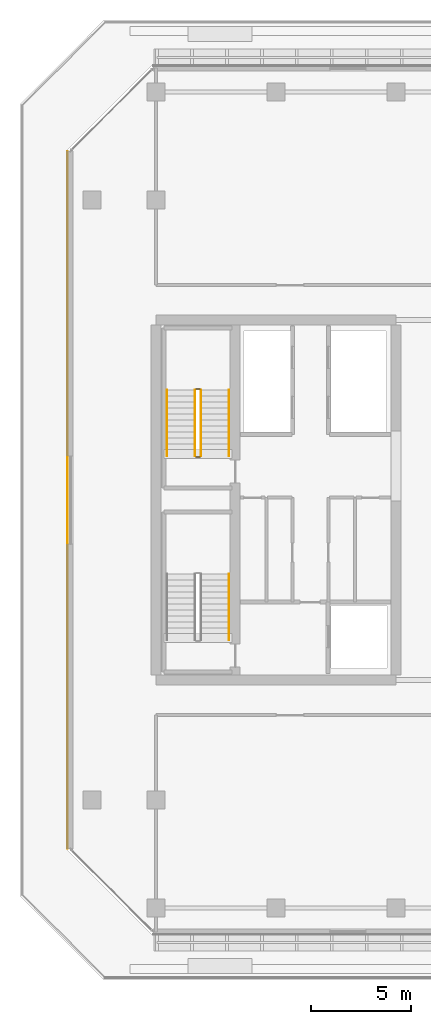
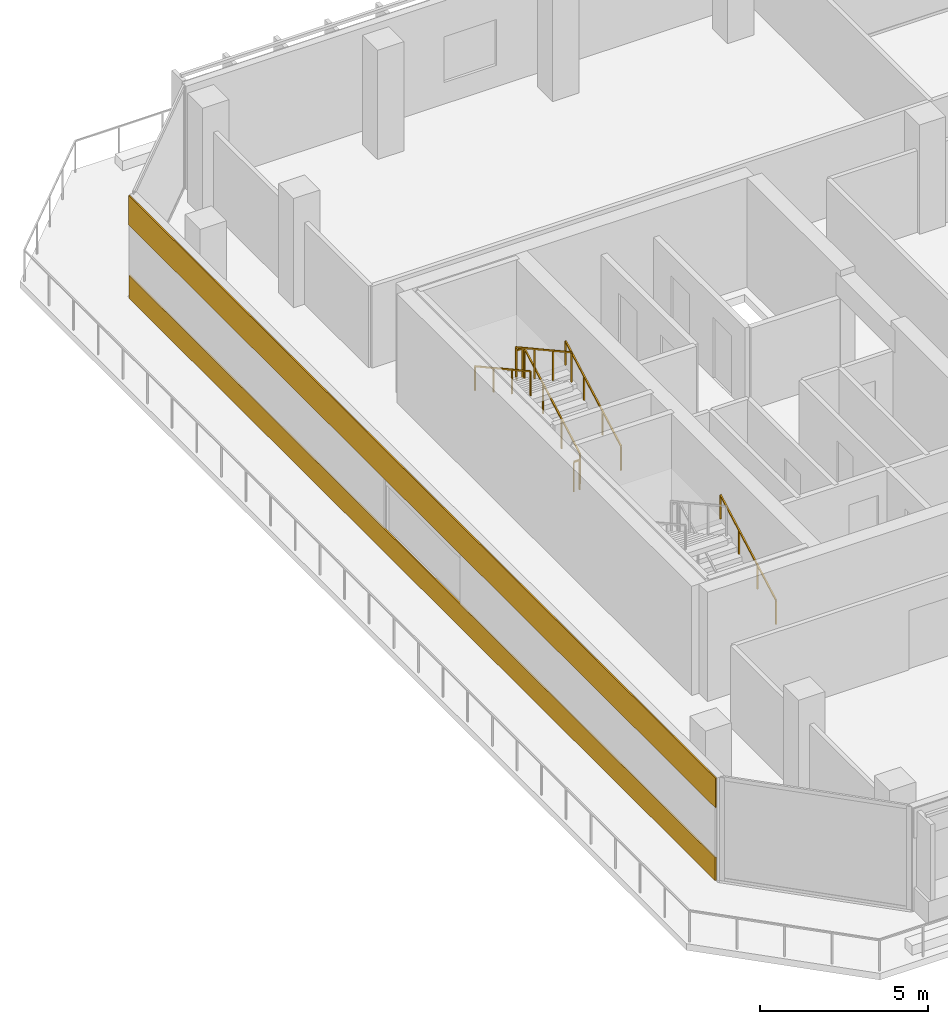
# One storey, part 27 of 30: 7 railings, 2 coverings.
"""IFC4 building model written with IfcOpenShell, lengths in metres."""

from ifc_helpers import new_model, si_unit, direction, frame, origin, origin_2d, place, context, subcontext, project, spatial, rectangle, extrude, material, layer, layer_set, type_object, element, save


model = new_model("IFC4")

# Units and contexts
model_context = context("Model", 3, precision=1e-05, world=origin(), true_north=direction((0.0, 1.0)))
body_context = subcontext(model_context, "Body", "Model", "MODEL_VIEW")
ifc_project = project(units=[si_unit("LENGTHUNIT", "METRE"), si_unit("AREAUNIT", "SQUARE_METRE"), si_unit("VOLUMEUNIT", "CUBIC_METRE"), si_unit("PLANEANGLEUNIT", "RADIAN"), si_unit("MASSUNIT", "GRAM", prefix="KILO")], contexts=[model_context])

# Site, building, storey
site_placement = place(None, origin())
site = spatial("IfcSite", under=ifc_project, at=site_placement, CompositionType="ELEMENT")
building_placement = place(site_placement, origin())
building = spatial("IfcBuilding", under=site, at=building_placement, Name="Tanjung Sevakor Pilgrim Tower", CompositionType="ELEMENT")
storey_placement = place(building_placement, frame((0.0, 0.0, 128.0400390625)))
storey = spatial("IfcBuildingStorey", under=building, at=storey_placement, Name="L35", CompositionType="ELEMENT", Elevation=128.0400390625)

# Coverings
ifc_material_1 = material(Name="Reconstructed Limestone Cladding", Category="masonry")
ifc_layer = layer(ifc_material_1, 0.044921875)
ifc_layer_set = layer_set([ifc_layer], Name="COV-CLAD-LIMESTONE")
covering_type = type_object("IfcCoveringType", Name="COV-CLAD-LIMESTONE", PredefinedType="CLADDING", material=ifc_layer_set)
covering_1_placement = place(storey_placement, frame((19.577392578125, 33.60009765625, 0.009765625), z_axis=(0.0, 0.0, 1.0), x_axis=(0.0, -1.0, 0.0)))
element("IfcCovering", 1, at=covering_1_placement, inside=storey, type_object=covering_type, Name="L35 Warm Limestone Sill Spandrel EW-L35-MAIN-15-1", PredefinedType="CLADDING", context=body_context, shape_type="SweptSolid", body=[
    extrude(rectangle(XDim=34.81640625, YDim=0.044921875, at=origin_2d()), origin(), (0.0, 0.0, 1.0), 0.840087890625),
])
covering_2_placement = place(storey_placement, frame((19.577392578125, 33.60009765625, 2.66015625), z_axis=(0.0, 0.0, 1.0), x_axis=(0.0, -1.0, 0.0)))
element("IfcCovering", 2, at=covering_2_placement, inside=storey, type_object=covering_type, Name="L35 Warm Limestone Cornice Spandrel EW-L35-MAIN-15", PredefinedType="CLADDING", context=body_context, shape_type="SweptSolid", body=[
    extrude(rectangle(XDim=34.8564453125, YDim=0.044921875, at=origin_2d()), origin(), (0.0, 0.0, 1.0), 1.070068359375),
])

# Railings
ifc_material_2 = material(Name="Steel S355J2", Category="steel")
railing_type_1 = type_object("IfcRailingType", Name="RL-STAIR-GUARD", PredefinedType="GUARDRAIL", material=ifc_material_2)
railing_1_placement = place(storey_placement, frame((26.25, 35.800048828125, 0.1650390625)))
element("IfcRailing", 3, at=railing_1_placement, inside=storey, type_object=railing_type_1, Name="L35 TS-W2 stair guard 1", PredefinedType="GUARDRAIL", context=body_context, shape_type="SweptSolid", body=[
    extrude(rectangle(XDim=0.0479, YDim=0.0479), frame((0.0, 0.0, 1.076171875), z_axis=(0.0, 0.876225489012, 0.48190133057), x_axis=(-1.0, 0.0, 0.0)), (0.0, 0.0, 1.0), 3.76611328125),
    extrude(rectangle(XDim=0.042, YDim=0.042), origin(), (0.0, 0.0, 1.0), 1.052001953125),
    extrude(rectangle(XDim=0.042, YDim=0.042), frame((0.0, 1.10009765625, 0.60498046875)), (0.0, 0.0, 1.0), 1.052001953125),
    extrude(rectangle(XDim=0.042, YDim=0.042), frame((0.0, 2.199951171875, 1.2099609375)), (0.0, 0.0, 1.0), 1.052001953125),
    extrude(rectangle(XDim=0.042, YDim=0.042), frame((0.0, 3.300048828125, 1.81494140625)), (0.0, 0.0, 1.0), 1.052001953125),
])
railing_2_placement = place(storey_placement, frame((26.199951171875, 39.14990234375, 1.97998046875)))
element("IfcRailing", 4, at=railing_2_placement, inside=storey, type_object=railing_type_1, Name="L35 TS-W2 stair guard 2", PredefinedType="GUARDRAIL", context=body_context, shape_type="SweptSolid", body=[
    extrude(rectangle(XDim=0.0479, YDim=0.0479), frame((0.0, 0.0, 1.076171875), z_axis=(-1.0, 0.0, 0.0), x_axis=(0.0, -1.0, 0.0)), (0.0, 0.0, 1.0), 0.199951171875),
    extrude(rectangle(XDim=0.042, YDim=0.042), origin(), (0.0, 0.0, 1.0), 1.052001953125),
    extrude(rectangle(XDim=0.042, YDim=0.042), frame((-0.199951171875, 0.0, 0.0)), (0.0, 0.0, 1.0), 1.052001953125),
])
railing_3_placement = place(storey_placement, frame((25.949951171875, 39.10009765625, 2.14501953125)))
element("IfcRailing", 5, at=railing_3_placement, inside=storey, type_object=railing_type_1, Name="L35 TS-W2 stair guard 3", PredefinedType="GUARDRAIL", context=body_context, shape_type="SweptSolid", body=[
    extrude(rectangle(XDim=0.0479, YDim=0.0479), frame((0.0, 0.0, 1.076171875), z_axis=(0.0, -0.876225489012, 0.48190133057), x_axis=(1.0, 0.0, 0.0)), (0.0, 0.0, 1.0), 3.76611328125),
    extrude(rectangle(XDim=0.042, YDim=0.042), origin(), (0.0, 0.0, 1.0), 1.052001953125),
    extrude(rectangle(XDim=0.042, YDim=0.042), frame((0.0, -1.10009765625, 0.60498046875)), (0.0, 0.0, 1.0), 1.052001953125),
    extrude(rectangle(XDim=0.042, YDim=0.042), frame((0.0, -2.199951171875, 1.2099609375)), (0.0, 0.0, 1.0), 1.052001953125),
    extrude(rectangle(XDim=0.042, YDim=0.042), frame((0.0, -3.300048828125, 1.81494140625)), (0.0, 0.0, 1.0), 1.052001953125),
])
railing_4_placement = place(storey_placement, frame((26.199951171875, 35.75, 0.0)))
element("IfcRailing", 6, at=railing_4_placement, inside=storey, type_object=railing_type_1, Name="L35 TS-W2 stair guard 4", PredefinedType="GUARDRAIL", context=body_context, shape_type="SweptSolid", body=[
    extrude(rectangle(XDim=0.0479, YDim=0.0479), frame((0.0, 0.0, 1.076171875), z_axis=(-1.0, 0.0, 0.0), x_axis=(0.0, -1.0, 0.0)), (0.0, 0.0, 1.0), 0.199951171875),
    extrude(rectangle(XDim=0.042, YDim=0.042), origin(), (0.0, 0.0, 1.0), 1.052001953125),
    extrude(rectangle(XDim=0.042, YDim=0.042), frame((-0.199951171875, 0.0, 0.0)), (0.0, 0.0, 1.0), 1.052001953125),
])
ifc_material_3 = material(Name="Steel S355J2", Category="steel")
railing_type_2 = type_object("IfcRailingType", Name="RL-STAIR-HAND", PredefinedType="HANDRAIL", material=ifc_material_3)
railing_5_placement = place(storey_placement, frame((27.64990234375, 26.60009765625, 0.1650390625)))
element("IfcRailing", 7, at=railing_5_placement, inside=storey, type_object=railing_type_2, Name="L35 TS-W1 stair handrail 1", PredefinedType="HANDRAIL", context=body_context, shape_type="SweptSolid", body=[
    extrude(rectangle(XDim=0.0479, YDim=0.0479), frame((0.0, 0.0, 0.8759765625), z_axis=(0.0, 0.876210433733, 0.481928704082), x_axis=(-1.0, 0.0, 0.0)), (0.0, 0.0, 1.0), 3.76611328125),
    extrude(rectangle(XDim=0.042, YDim=0.042), origin(), (0.0, 0.0, 1.0), 0.851806640625),
    extrude(rectangle(XDim=0.042, YDim=0.042), frame((0.0, 1.099853515625, 0.60498046875)), (0.0, 0.0, 1.0), 0.851806640625),
    extrude(rectangle(XDim=0.042, YDim=0.042), frame((0.0, 2.199951171875, 1.2099609375)), (0.0, 0.0, 1.0), 0.851806640625),
    extrude(rectangle(XDim=0.042, YDim=0.042), frame((0.0, 3.2998046875, 1.81494140625)), (0.0, 0.0, 1.0), 0.851806640625),
])
railing_6_placement = place(storey_placement, frame((27.64990234375, 35.800048828125, 0.1650390625)))
element("IfcRailing", 8, at=railing_6_placement, inside=storey, type_object=railing_type_2, Name="L35 TS-W2 stair handrail 1", PredefinedType="HANDRAIL", context=body_context, shape_type="SweptSolid", body=[
    extrude(rectangle(XDim=0.0479, YDim=0.0479), frame((0.0, 0.0, 0.8759765625), z_axis=(0.0, 0.876225489012, 0.48190133057), x_axis=(-1.0, 0.0, 0.0)), (0.0, 0.0, 1.0), 3.76611328125),
    extrude(rectangle(XDim=0.042, YDim=0.042), origin(), (0.0, 0.0, 1.0), 0.851806640625),
    extrude(rectangle(XDim=0.042, YDim=0.042), frame((0.0, 1.10009765625, 0.60498046875)), (0.0, 0.0, 1.0), 0.851806640625),
    extrude(rectangle(XDim=0.042, YDim=0.042), frame((0.0, 2.199951171875, 1.2099609375)), (0.0, 0.0, 1.0), 0.851806640625),
    extrude(rectangle(XDim=0.042, YDim=0.042), frame((0.0, 3.300048828125, 1.81494140625)), (0.0, 0.0, 1.0), 0.851806640625),
])
railing_7_placement = place(storey_placement, frame((24.550048828125, 39.10009765625, 2.14501953125)))
element("IfcRailing", 9, at=railing_7_placement, inside=storey, type_object=railing_type_2, Name="L35 TS-W2 stair handrail 2", PredefinedType="HANDRAIL", context=body_context, shape_type="SweptSolid", body=[
    extrude(rectangle(XDim=0.0479, YDim=0.0479), frame((0.0, 0.0, 0.8759765625), z_axis=(0.0, -0.876225489012, 0.48190133057), x_axis=(1.0, 0.0, 0.0)), (0.0, 0.0, 1.0), 3.76611328125),
    extrude(rectangle(XDim=0.042, YDim=0.042), origin(), (0.0, 0.0, 1.0), 0.851806640625),
    extrude(rectangle(XDim=0.042, YDim=0.042), frame((0.0, -1.10009765625, 0.60498046875)), (0.0, 0.0, 1.0), 0.851806640625),
    extrude(rectangle(XDim=0.042, YDim=0.042), frame((0.0, -2.199951171875, 1.2099609375)), (0.0, 0.0, 1.0), 0.851806640625),
    extrude(rectangle(XDim=0.042, YDim=0.042), frame((0.0, -3.300048828125, 1.81494140625)), (0.0, 0.0, 1.0), 0.851806640625),
])

save(model, "model.ifc")
